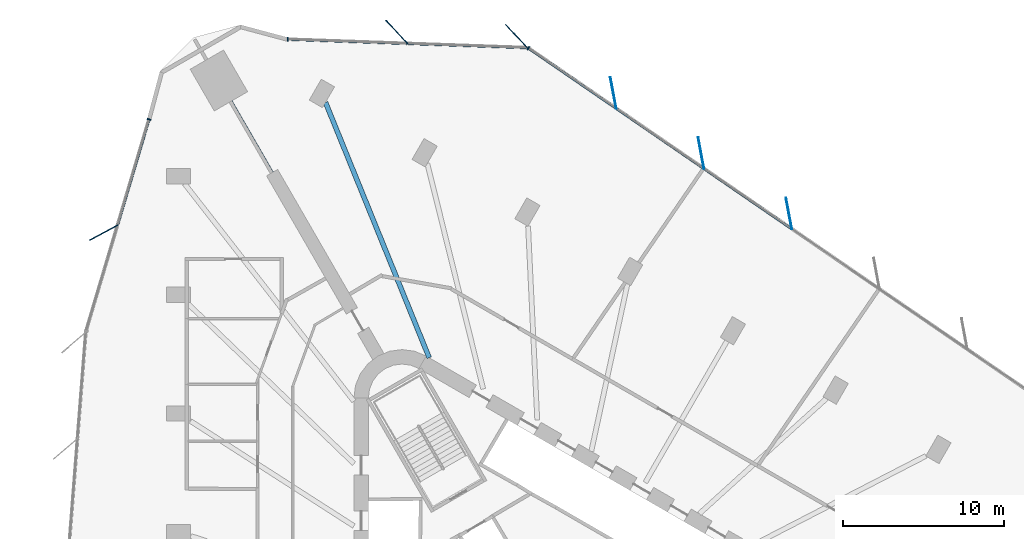
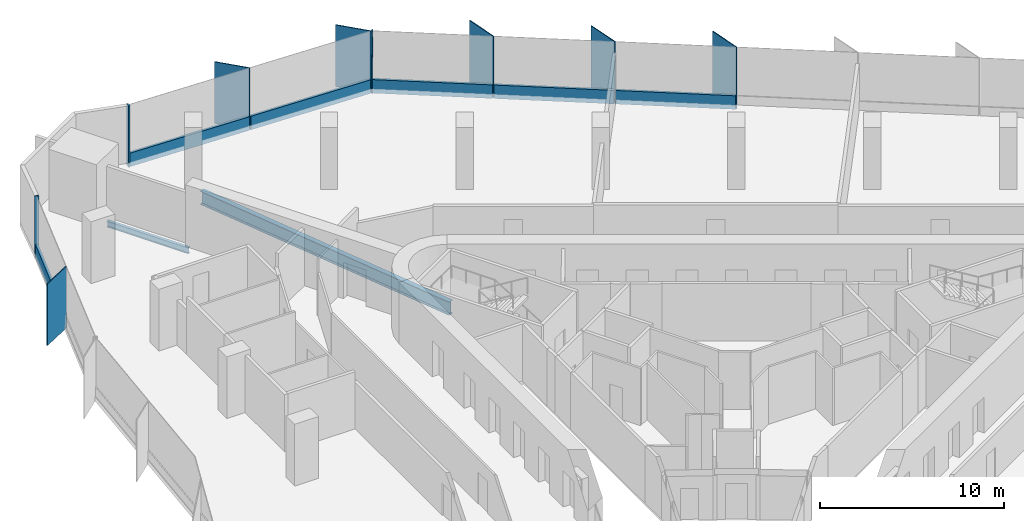
# One storey, part 7 of 15: 15 members, 2 beams, 3 elements without a shape of their own.
"""IFC4 building model written with IfcOpenShell, lengths in metres."""

from ifc_helpers import new_model, si_unit, direction, frame, origin, origin_2d, place, context, subcontext, project, spatial, rectangle, i_section, extrude, material, material_profile, profile_set, type_object, element, aggregate, save


model = new_model("IFC4")

# Units and contexts
model_context = context("Model", 3, precision=1e-05, world=origin(), true_north=direction((0.0, 1.0)))
body_context = subcontext(model_context, "Body", "Model", "MODEL_VIEW")
ifc_project = project(units=[si_unit("LENGTHUNIT", "METRE"), si_unit("AREAUNIT", "SQUARE_METRE"), si_unit("VOLUMEUNIT", "CUBIC_METRE"), si_unit("PLANEANGLEUNIT", "RADIAN"), si_unit("MASSUNIT", "GRAM", prefix="KILO")], contexts=[model_context])

# Site, building, storey
site_placement = place(None, origin())
site = spatial("IfcSite", under=ifc_project, at=site_placement, CompositionType="ELEMENT")
building_placement = place(site_placement, origin())
building = spatial("IfcBuilding", under=site, at=building_placement, Name="Tanit Gate Tower", CompositionType="ELEMENT")
storey_placement = place(building_placement, frame((0.0, 0.0, 98.800048828125)))
storey = spatial("IfcBuildingStorey", under=building, at=storey_placement, Name="L20", CompositionType="ELEMENT", Elevation=98.800048828125)

# Curtain wall, members
ifc_material_1 = material(Name="Aluminium bronze anodised and glass", Category="aluminium")
curtain_wall_type = type_object("IfcCurtainWallType", Name="Curtain wall typical low", PredefinedType="NOTDEFINED", material=ifc_material_1)
curtain_wall_1_placement = place(storey_placement, origin())
curtain_wall_1 = element("IfcCurtainWall", 1, at=curtain_wall_1_placement, inside=storey, type_object=curtain_wall_type, Name="Curtain wall L20 NE2", PredefinedType="NOTDEFINED")
ifc_material_2 = material(Name="Aluminium bronze anodised", Category="aluminium")
ifc_material_profile_1 = material_profile(ifc_material_2, rectangle(XDim=2.0, YDim=0.055908203125, at=origin_2d()), Name="56x2000 bronze fin mullion")
ifc_profile_set_1 = profile_set([ifc_material_profile_1], Name="Aluminium bronze anodised")
member_type_1 = type_object("IfcMemberType", Name="FIN MULLION 56x2000 bronze", PredefinedType="MULLION", material=ifc_profile_set_1)
member_1_placement = place(storey_placement, frame((14.99658203125, 27.24169921875, -0.300048828125), z_axis=(0.0, 0.0, 1.0), x_axis=(0.182847499991, -0.983141287785, 0.0)))
member_1 = element("IfcMember", 2, at=member_1_placement, type_object=member_type_1, Name="Fin mullion L20 NE2.4", PredefinedType="MULLION", context=body_context, shape_type="SweptSolid", body=[
    extrude(rectangle(XDim=2.0, YDim=0.055908203125, at=origin_2d()), origin(), (0.0, 0.0, 1.0), 4.10009765625),
])
member_2_placement = place(storey_placement, frame((9.527099609375, 30.99560546875, -0.300048828125), z_axis=(0.0, 0.0, 1.0), x_axis=(0.182847499991, -0.983141287785, 0.0)))
member_2 = element("IfcMember", 3, at=member_2_placement, type_object=member_type_1, Name="Fin mullion L20 NE2.5", PredefinedType="MULLION", context=body_context, shape_type="SweptSolid", body=[
    extrude(rectangle(XDim=2.0, YDim=0.055908203125, at=origin_2d()), origin(), (0.0, 0.0, 1.0), 4.10009765625),
])
member_3_placement = place(storey_placement, frame((4.057861328125, 34.74951171875, -0.300048828125), z_axis=(0.0, 0.0, 1.0), x_axis=(0.182847499991, -0.983141287785, 0.0)))
member_3 = element("IfcMember", 4, at=member_3_placement, type_object=member_type_1, Name="Fin mullion L20 NE2.6", PredefinedType="MULLION", context=body_context, shape_type="SweptSolid", body=[
    extrude(rectangle(XDim=2.0, YDim=0.055908203125, at=origin_2d()), origin(), (0.0, 0.0, 1.0), 4.10009765625),
])

curtain_wall_2_placement = place(storey_placement, origin())
curtain_wall_2 = element("IfcCurtainWall", 5, at=curtain_wall_2_placement, inside=storey, type_object=curtain_wall_type, Name="Curtain wall L20 NE3", PredefinedType="NOTDEFINED")
member_4_placement = place(storey_placement, frame((-1.97216796875, 38.281494140625, -0.300048828125), z_axis=(0.0, 0.0, 1.0), x_axis=(0.681935524465, -0.731412291715, 0.0)))
member_4 = element("IfcMember", 6, at=member_4_placement, type_object=member_type_1, Name="Fin mullion L20 NE3.1", PredefinedType="MULLION", context=body_context, shape_type="SweptSolid", body=[
    extrude(rectangle(XDim=2.0, YDim=0.055908203125, at=origin_2d()), origin(), (0.0, 0.0, 1.0), 4.10009765625),
])
member_5_placement = place(storey_placement, frame((-9.430908203125, 38.54248046875, -0.300048828125), z_axis=(0.0, 0.0, 1.0), x_axis=(0.681935524465, -0.731412291715, 0.0)))
member_5 = element("IfcMember", 7, at=member_5_placement, type_object=member_type_1, Name="Fin mullion L20 NE3.2", PredefinedType="MULLION", context=body_context, shape_type="SweptSolid", body=[
    extrude(rectangle(XDim=2.0, YDim=0.055908203125, at=origin_2d()), origin(), (0.0, 0.0, 1.0), 4.10009765625),
])

# Curtain wall, member
curtain_wall_3_placement = place(storey_placement, origin())
curtain_wall_3 = element("IfcCurtainWall", 8, at=curtain_wall_3_placement, inside=storey, type_object=curtain_wall_type, Name="Curtain wall L20 W1", PredefinedType="NOTDEFINED")
member_6_placement = place(storey_placement, frame((-27.683349609375, 26.046142578125, -0.300048828125), z_axis=(0.0, 0.0, 1.0), x_axis=(0.879325041562, 0.476222081893, 0.0)))
member_6 = element("IfcMember", 9, at=member_6_placement, type_object=member_type_1, Name="Fin mullion L20 W1.2", PredefinedType="MULLION", context=body_context, shape_type="SweptSolid", body=[
    extrude(rectangle(XDim=2.0, YDim=0.055908203125, at=origin_2d()), origin(), (0.0, 0.0, 1.0), 4.10009765625),
])

# Member
ifc_material_3 = material(Name="Aluminium bronze anodised", Category="aluminium")
ifc_material_profile_2 = material_profile(ifc_material_3, rectangle(XDim=0.239990234375, YDim=0.080078125, at=origin_2d()), Name="80x240 bronze mullion")
ifc_profile_set_2 = profile_set([ifc_material_profile_2], Name="Aluminium bronze anodised")
member_type_2 = type_object("IfcMemberType", Name="Mullion 80x240 typical low", PredefinedType="MULLION", material=ifc_profile_set_2)
member_7_placement = place(storey_placement, frame((-1.232666015625, 37.54248046875, -0.300048828125), z_axis=(0.0, 0.0, 1.0), x_axis=(-0.56589316429, -0.824478578624, 0.0)))
member_7 = element("IfcMember", 10, at=member_7_placement, type_object=member_type_2, Name="Mullion L20 NE2.7", PredefinedType="MULLION", context=body_context, shape_type="SweptSolid", body=[
    extrude(rectangle(XDim=0.239990234375, YDim=0.080078125, at=origin_2d()), origin(), (0.0, 0.0, 1.0), 4.10009765625),
])

member_8_placement = place(storey_placement, frame((-16.22314453125, 38.0888671875, -0.300048828125), z_axis=(0.0, 0.0, 1.0), x_axis=(-0.034985357634, -0.999387824997, 0.0)))
member_8 = element("IfcMember", 11, at=member_8_placement, type_object=member_type_2, Name="Mullion L20 NE3.3", PredefinedType="MULLION", context=body_context, shape_type="SweptSolid", body=[
    extrude(rectangle(XDim=0.239990234375, YDim=0.080078125, at=origin_2d()), origin(), (0.0, 0.0, 1.0), 4.10009765625),
])

member_9_placement = place(storey_placement, frame((-24.86376953125, 33.1025390625, -0.300048828125), z_axis=(0.0, 0.0, 1.0), x_axis=(0.958516563213, -0.285036836298, 0.0)))
member_9 = element("IfcMember", 12, at=member_9_placement, type_object=member_type_2, Name="Mullion L20 W1.1", PredefinedType="MULLION", context=body_context, shape_type="SweptSolid", body=[
    extrude(rectangle(XDim=0.239990234375, YDim=0.080078125, at=origin_2d()), origin(), (0.0, 0.0, 1.0), 4.10009765625),
])

# Beams
ifc_material_4 = material(Name="Steel S355", Category="steel")
ifc_material_profile_3 = material_profile(ifc_material_4, i_section(OverallWidth=0.300048828125, OverallDepth=0.889892578125, WebThickness=0.01611328125, FlangeThickness=0.030029296875, FilletRadius=0.030029296875, at=origin_2d()), Name="HEA 900")
ifc_profile_set_3 = profile_set([ifc_material_profile_3], Name="Steel S355")
beam_type_1 = type_object("IfcBeamType", Name="RADIAL GIRDER HEA 900 S355", PredefinedType="BEAM", material=ifc_profile_set_3)
beam_1_placement = place(storey_placement, frame((-13.869384765625, 34.1591796875, -0.7451171875), z_axis=(0.376193939904, -0.926540943283, 0.0), x_axis=(0.926540943283, 0.376193939904, 0.0)))
element("IfcBeam", 13, at=beam_1_placement, inside=storey, type_object=beam_type_1, Name="RADIAL GIRDER", PredefinedType="BEAM", context=body_context, shape_type="SweptSolid", body=[
    extrude(i_section(OverallWidth=0.300048828125, OverallDepth=0.889892578125, WebThickness=0.01611328125, FlangeThickness=0.030029296875, FilletRadius=0.030029296875, at=origin_2d()), origin(), (0.0, 0.0, 1.0), 17.167236328125),
])
ifc_material_5 = material(Name="Steel S355", Category="steel")
ifc_material_profile_4 = material_profile(ifc_material_5, i_section(OverallWidth=0.179931640625, OverallDepth=0.39990234375, WebThickness=0.008544921875, FlangeThickness=0.013427734375, FilletRadius=0.02099609375, at=origin_2d()), Name="IPE 400")
ifc_profile_set_4 = profile_set([ifc_material_profile_4], Name="Steel S355")
beam_type_2 = type_object("IfcBeamType", Name="RADIAL GIRDER IPE 400 S355", PredefinedType="BEAM", material=ifc_profile_set_4)
beam_2_placement = place(storey_placement, frame((-19.760498046875, 34.22607421875, -0.5), z_axis=(0.499998470576, -0.866026286796, 0.0), x_axis=(0.866026286796, 0.499998470576, 0.0)))
element("IfcBeam", 14, at=beam_2_placement, inside=storey, type_object=beam_type_2, Name="RADIAL GIRDER", PredefinedType="BEAM", context=body_context, shape_type="SweptSolid", body=[
    extrude(i_section(OverallWidth=0.179931640625, OverallDepth=0.39990234375, WebThickness=0.008544921875, FlangeThickness=0.013427734375, FilletRadius=0.02099609375, at=origin_2d()), origin(), (0.0, 0.0, 1.0), 5.1298828125),
])

# Member
ifc_material_6 = material(Name="Aluminium bronze anodised", Category="aluminium")
ifc_material_profile_5 = material_profile(ifc_material_6, rectangle(XDim=0.159912109375, YDim=0.89990234375, at=origin_2d()), Name="160x900 bronze transom")
ifc_profile_set_5 = profile_set([ifc_material_profile_5], Name="Aluminium bronze anodised")
member_type_3 = type_object("IfcMemberType", Name="Transom 160x900 typical low", PredefinedType="USERDEFINED", material=ifc_profile_set_5)
member_10_placement = place(storey_placement, frame((15.142333984375, 26.303466796875, 0.14990234375), z_axis=(-0.824484045069, 0.565885199866, 0.0), x_axis=(-0.565885199866, -0.824484045069, 0.0)))
member_10 = element("IfcMember", 15, at=member_10_placement, type_object=member_type_3, Name="Transom L20 NE2.4", ObjectType="TRANSOM", PredefinedType="USERDEFINED", context=body_context, shape_type="SweptSolid", body=[
    extrude(rectangle(XDim=0.159912109375, YDim=0.89990234375, at=origin_2d()), origin(), (0.0, 0.0, 1.0), 6.553955078125),
])

member_11_placement = place(storey_placement, frame((9.6728515625, 30.057373046875, 0.14990234375), z_axis=(-0.824472115667, 0.565902580386, 0.0), x_axis=(-0.565902580386, -0.824472115667, 0.0)))
member_11 = element("IfcMember", 16, at=member_11_placement, type_object=member_type_3, Name="Transom L20 NE2.5", ObjectType="TRANSOM", PredefinedType="USERDEFINED", context=body_context, shape_type="SweptSolid", body=[
    extrude(rectangle(XDim=0.159912109375, YDim=0.89990234375, at=origin_2d()), origin(), (0.0, 0.0, 1.0), 6.5537109375),
])

member_12_placement = place(storey_placement, frame((4.20361328125, 33.811279296875, 0.14990234375), z_axis=(-0.824472115667, 0.565902580386, 0.0), x_axis=(-0.565902580386, -0.824472115667, 0.0)))
member_12 = element("IfcMember", 17, at=member_12_placement, type_object=member_type_3, Name="Transom L20 NE2.6", ObjectType="TRANSOM", PredefinedType="USERDEFINED", context=body_context, shape_type="SweptSolid", body=[
    extrude(rectangle(XDim=0.159912109375, YDim=0.89990234375, at=origin_2d()), origin(), (0.0, 0.0, 1.0), 6.5537109375),
])

aggregate(curtain_wall_1, [member_1, member_2, member_3, member_7, member_10, member_11, member_12])

member_13_placement = place(storey_placement, frame((-1.345703125, 37.568115234375, 0.14990234375), z_axis=(-0.999387836733, 0.034985022376, 0.0), x_axis=(-0.034985022376, -0.999387836733, 0.0)))
member_13 = element("IfcMember", 18, at=member_13_placement, type_object=member_type_3, Name="Transom L20 NE3.1", ObjectType="TRANSOM", PredefinedType="USERDEFINED", context=body_context, shape_type="SweptSolid", body=[
    extrude(rectangle(XDim=0.159912109375, YDim=0.89990234375, at=origin_2d()), origin(), (0.0, 0.0, 1.0), 7.38330078125),
])

member_14_placement = place(storey_placement, frame((-8.804443359375, 37.8291015625, 0.14990234375), z_axis=(-0.999387836733, 0.034985022376, 0.0), x_axis=(-0.034985022376, -0.999387836733, 0.0)))
member_14 = element("IfcMember", 19, at=member_14_placement, type_object=member_type_3, Name="Transom L20 NE3.2", ObjectType="TRANSOM", PredefinedType="USERDEFINED", context=body_context, shape_type="SweptSolid", body=[
    extrude(rectangle(XDim=0.159912109375, YDim=0.89990234375, at=origin_2d()), origin(), (0.0, 0.0, 1.0), 7.38330078125),
])

aggregate(curtain_wall_2, [member_4, member_5, member_8, member_13, member_14])

member_15_placement = place(storey_placement, frame((-24.875244140625, 33.064208984375, 0.14990234375), z_axis=(-0.285053228676, -0.958511688411, 0.0), x_axis=(0.958511688411, -0.285053228676, 0.0)))
member_15 = element("IfcMember", 20, at=member_15_placement, type_object=member_type_3, Name="Transom L20 W1.1", ObjectType="TRANSOM", PredefinedType="USERDEFINED", context=body_context, shape_type="SweptSolid", body=[
    extrude(rectangle(XDim=0.159912109375, YDim=0.89990234375, at=origin_2d()), origin(), (0.0, 0.0, 1.0), 6.796142578125),
])

aggregate(curtain_wall_3, [member_9, member_6, member_15])

save(model, "model.ifc")
